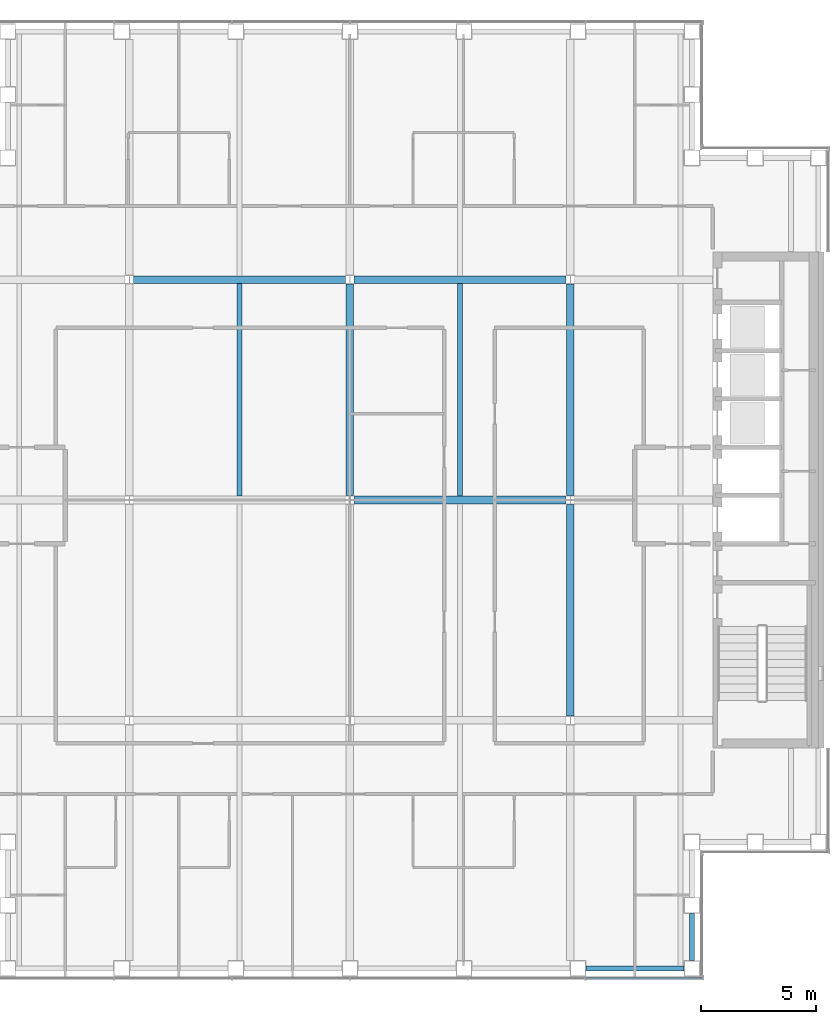
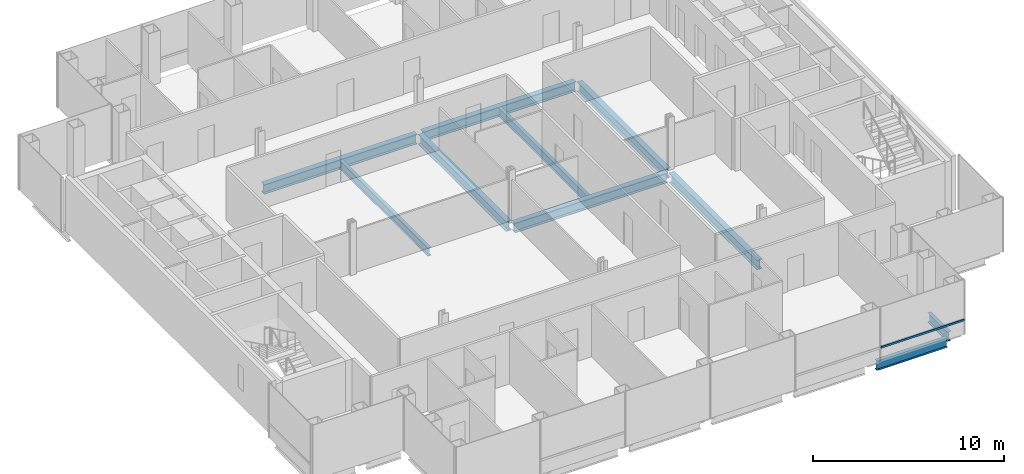
# One storey, part 5 of 15: 10 beams, 1 member, 1 element without a shape of its own.
"""IFC4 building model written with IfcOpenShell, lengths in metres."""

from ifc_helpers import new_model, si_unit, direction, frame, origin, origin_2d, place, context, subcontext, project, spatial, rectangle, i_section, extrude, material, material_profile, profile_set, type_object, element, aggregate, save


model = new_model("IFC4")

# Units and contexts
model_context = context("Model", 3, precision=1e-05, world=origin(), true_north=direction((0.0, 1.0)))
body_context = subcontext(model_context, "Body", "Model", "MODEL_VIEW")
ifc_project = project(units=[si_unit("LENGTHUNIT", "METRE"), si_unit("AREAUNIT", "SQUARE_METRE"), si_unit("VOLUMEUNIT", "CUBIC_METRE"), si_unit("PLANEANGLEUNIT", "RADIAN"), si_unit("MASSUNIT", "GRAM", prefix="KILO")], contexts=[model_context])

# Site, building, storey
site_placement = place(None, origin())
site = spatial("IfcSite", under=ifc_project, at=site_placement, CompositionType="ELEMENT")
building_placement = place(site_placement, origin())
building = spatial("IfcBuilding", under=site, at=building_placement, Name="Cobrizo Arcos Hotel Tower", CompositionType="ELEMENT")
storey_placement = place(building_placement, frame((0.0, 0.0, 201.5)))
storey = spatial("IfcBuildingStorey", under=building, at=storey_placement, Name="L52", CompositionType="ELEMENT", Elevation=201.5)

# Curtain wall, member
ifc_material_1 = material(Name="Aluminium 6063-T6 anodised bronze", Category="aluminium")
curtain_wall_type = type_object("IfcCurtainWallType", Name="CW-A guest facade", PredefinedType="NOTDEFINED", material=ifc_material_1)
curtain_wall_placement = place(storey_placement, origin())
curtain_wall = element("IfcCurtainWall", 1, at=curtain_wall_placement, inside=storey, type_object=curtain_wall_type, Name="CW-A L52 S face", PredefinedType="NOTDEFINED")
ifc_material_profile_1 = material_profile(ifc_material_1, rectangle(XDim=0.10009765625, YDim=0.1201171875, at=origin_2d()), Name="CW-A transom 120x100")
ifc_profile_set_1 = profile_set([ifc_material_profile_1], Name="Aluminium 6063-T6 anodised bronze")
member_type = type_object("IfcMemberType", Name="CW-A transom 120x100", PredefinedType="USERDEFINED", material=ifc_profile_set_1)
member_placement = place(storey_placement, frame((10.296630859375, -20.824951171875, 0.929931640625), z_axis=(1.0, 0.0, 0.0), x_axis=(0.0, 1.0, 0.0)))
member = element("IfcMember", 2, at=member_placement, type_object=member_type, Name="CW-A transom 1773", ObjectType="TRANSOM", PredefinedType="USERDEFINED", context=body_context, shape_type="SweptSolid", body=[
    extrude(rectangle(XDim=0.10009765625, YDim=0.1201171875, at=origin_2d()), origin(), (0.0, 0.0, 1.0), 5.04345703125),
])
aggregate(curtain_wall, [member])

# Beams
ifc_material_2 = material(Name="Steel ASTM A992 Grade 50", Category="steel")
ifc_material_profile_2 = material_profile(ifc_material_2, i_section(OverallWidth=0.209228515625, OverallDepth=0.533447265625, WebThickness=0.01025390625, FlangeThickness=0.015625, at=origin_2d()), Name="W21X62")
ifc_profile_set_2 = profile_set([ifc_material_profile_2], Name="Steel ASTM A992 Grade 50")
beam_type_1 = type_object("IfcBeamType", Name="W21X62 joist", PredefinedType="JOIST", material=ifc_profile_set_2)
for number, where, z_axis, x_axis, name in (
    (3, (-4.800048828125, 0.163818359375, -0.416748046875), (0.0, 1.0, 0.0), (-1.0, 0.0, 0.0), "Floor joist J1, L52, no. 009"),
    (4, (4.800048828125, 0.163818359375, -0.416748046875), (0.0, 1.0, 0.0), (-1.0, 0.0, 0.0), "Floor joist J1, L52, no. 013"),
):
    element("IfcBeam", number, at=place(storey_placement, frame(where, z_axis=z_axis, x_axis=x_axis)), inside=storey, type_object=beam_type_1, Name=name, PredefinedType="JOIST", context=body_context, shape_type="SweptSolid", body=[
        extrude(i_section(OverallWidth=0.209228515625, OverallDepth=0.533447265625, WebThickness=0.01025390625, FlangeThickness=0.015625, at=origin_2d()), origin(), (0.0, 0.0, 1.0), 9.272216796875),
    ])
ifc_material_profile_3 = material_profile(ifc_material_2, i_section(OverallWidth=0.32763671875, OverallDepth=0.622314453125, WebThickness=0.015380859375, FlangeThickness=0.0244140625, at=origin_2d()), Name="W24X131")
ifc_profile_set_3 = profile_set([ifc_material_profile_3], Name="Steel ASTM A992 Grade 50")
beam_type_2 = type_object("IfcBeamType", Name="W24X131 girder", PredefinedType="BEAM", material=ifc_profile_set_3)
for number, where, z_axis, x_axis, name in (
    (5, (0.186767578125, 0.0, -0.461181640625), (1.0, 0.0, 0.0), (0.0, 1.0, 0.0), "Floor girder G1, L52, no. 007"),
    (6, (-9.413330078125, 9.60009765625, -0.461181640625), (1.0, 0.0, 0.0), (0.0, 1.0, 0.0), "Floor girder G1, L52, no. 010"),
    (7, (0.186767578125, 9.60009765625, -0.461181640625), (1.0, 0.0, 0.0), (0.0, 1.0, 0.0), "Floor girder G1, L52, no. 011"),
    (8, (0.0, 0.186767578125, -0.461181640625), (0.0, 1.0, 0.0), (-1.0, 0.0, 0.0), "Floor girder G1, L52, no. 019"),
    (9, (9.60009765625, -9.413330078125, -0.461181640625), (0.0, 1.0, 0.0), (-1.0, 0.0, 0.0), "Floor girder G1, L52, no. 022"),
    (10, (9.60009765625, 0.186767578125, -0.461181640625), (0.0, 1.0, 0.0), (-1.0, 0.0, 0.0), "Floor girder G1, L52, no. 023"),
):
    element("IfcBeam", number, at=place(storey_placement, frame(where, z_axis=z_axis, x_axis=x_axis)), inside=storey, type_object=beam_type_2, Name=name, PredefinedType="BEAM", context=body_context, shape_type="SweptSolid", body=[
        extrude(i_section(OverallWidth=0.32763671875, OverallDepth=0.622314453125, WebThickness=0.015380859375, FlangeThickness=0.0244140625, at=origin_2d()), origin(), (0.0, 0.0, 1.0), 9.2265625),
    ])
ifc_material_profile_4 = material_profile(ifc_material_2, i_section(OverallWidth=0.228271484375, OverallDepth=0.607177734375, WebThickness=0.01123046875, FlangeThickness=0.017333984375, at=origin_2d()), Name="W24X76")
ifc_profile_set_4 = profile_set([ifc_material_profile_4], Name="Steel ASTM A992 Grade 50")
beam_type_3 = type_object("IfcBeamType", Name="W24X76 spandrel", PredefinedType="SPANDREL", material=ifc_profile_set_4)
beam_1_placement = place(storey_placement, frame((10.282958984375, -20.39990234375, -0.45361328125), z_axis=(1.0, 0.0, 0.0), x_axis=(0.0, 1.0, 0.0)))
element("IfcBeam", 11, at=beam_1_placement, inside=storey, type_object=beam_type_3, Name="Spandrel beam W24X76, L52, no. 006", PredefinedType="SPANDREL", context=body_context, shape_type="SweptSolid", body=[
    extrude(i_section(OverallWidth=0.228271484375, OverallDepth=0.607177734375, WebThickness=0.01123046875, FlangeThickness=0.017333984375, at=origin_2d()), origin(), (0.0, 0.0, 1.0), 4.26708984375),
])
beam_2_placement = place(storey_placement, frame((14.89990234375, -20.050048828125, -0.45361328125), z_axis=(0.0, 1.0, 0.0), x_axis=(-1.0, 0.0, 0.0)))
element("IfcBeam", 12, at=beam_2_placement, inside=storey, type_object=beam_type_3, Name="Spandrel beam W24X76, L52, no. 007", PredefinedType="SPANDREL", context=body_context, shape_type="SweptSolid", body=[
    extrude(i_section(OverallWidth=0.228271484375, OverallDepth=0.607177734375, WebThickness=0.01123046875, FlangeThickness=0.017333984375, at=origin_2d()), origin(), (0.0, 0.0, 1.0), 2.050048828125),
])

save(model, "model.ifc")
